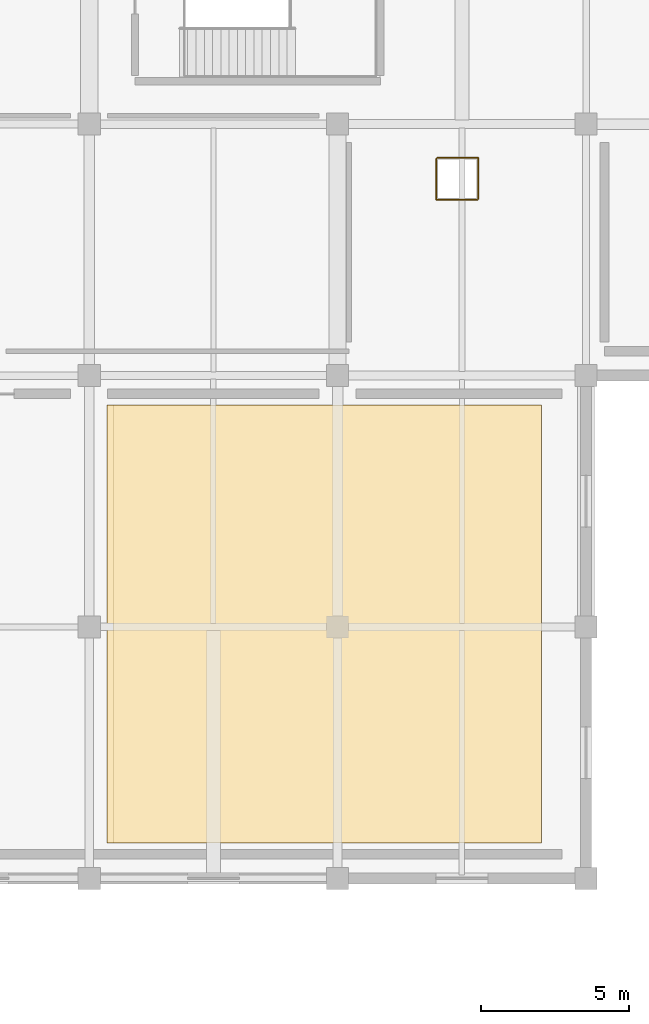
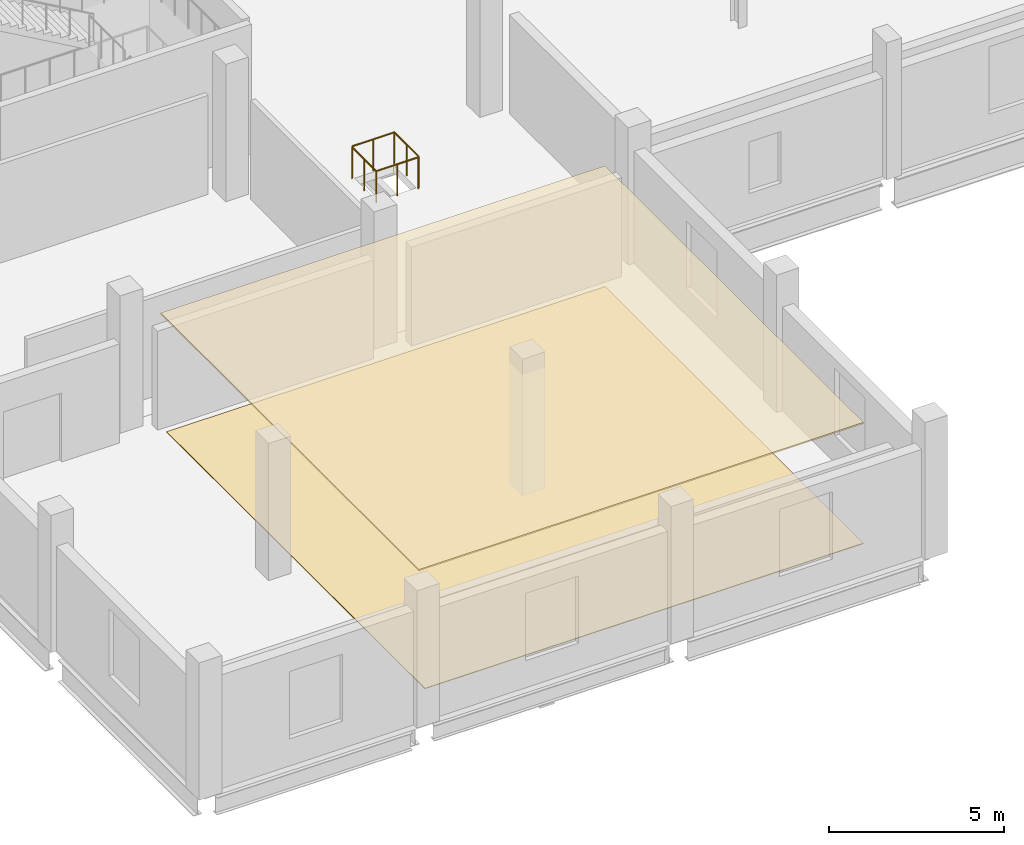
# One storey, part 72 of 77: 2 coverings, 2 railings.
"""IFC4 building model written with IfcOpenShell, lengths in metres."""

import ifcopenshell
import ifcopenshell.guid

model = None  # the IFC model being written
_history = None  # IfcOwnerHistory: only IFC2X3 demands one
_inside = {}  # id of a spatial element -> (the spatial element, [elements in it])
_under = {}  # id of a project, library or spatial element -> (it, [spatial elements below it])
_declared = {}  # id of a project -> (the project, [libraries it declares])
_typed = {}  # id of a type object -> (the type object, [elements of that type])
_made_of = {}  # id of a material, layer set ... -> (it, [elements and type objects made of it])


def new_model(schema):
    """Start an empty IFC model of exactly this schema.

    Asked for "IFC4X3", IfcOpenShell would pick the latest addendum, in which some entities
    have other attributes; the version numbers below select the first issue.
    IFC2X3 requires an IfcOwnerHistory on every rooted entity: one is made here for all.
    """
    global model, _history
    if schema == "IFC4X3":
        model = ifcopenshell.file(schema_version=(4, 3, 0, 0))
    else:
        model = ifcopenshell.file(schema=schema)
    _inside.clear()
    _under.clear()
    _declared.clear()
    _typed.clear()
    _made_of.clear()
    _history = None
    if model.schema == "IFC2X3":
        org = make("IfcOrganization", Name="unknown")
        user = make(
            "IfcPersonAndOrganization",
            ThePerson=make("IfcPerson", FamilyName="unknown"),
            TheOrganization=org,
        )
        app = make(
            "IfcApplication",
            ApplicationDeveloper=org,
            Version="unknown",
            ApplicationFullName="unknown",
            ApplicationIdentifier="unknown",
        )
        _history = make(
            "IfcOwnerHistory",
            OwningUser=user,
            OwningApplication=app,
            ChangeAction="ADDED",
            CreationDate=0,
        )
    return model


def make(cls, **values):
    """One entity of the class cls with the attributes given. An attribute that is None is left unset."""
    return model.create_entity(
        cls, **{name: value for name, value in values.items() if value is not None}
    )


def rooted(cls, **values):
    """An entity with a GlobalId (a new one), such as an element, a storey or a relation."""
    return make(cls, GlobalId=ifcopenshell.guid.new(), OwnerHistory=_history, **values)


def si_unit(unit_type, name, prefix=None):
    """IfcSIUnit, for example si_unit("LENGTHUNIT", "METRE", prefix="MILLI")."""
    return make("IfcSIUnit", UnitType=unit_type, Prefix=prefix, Name=name)


def assignment(units):
    """IfcUnitAssignment: the units of a project."""
    return None if units is None else make("IfcUnitAssignment", Units=units)


def point(xyz):
    """IfcCartesianPoint."""
    return None if xyz is None else make("IfcCartesianPoint", Coordinates=xyz)


def direction(xyz):
    """IfcDirection."""
    return None if xyz is None else make("IfcDirection", DirectionRatios=xyz)


def frame(location, z_axis=None, x_axis=None):
    """IfcAxis2Placement3D, a coordinate frame: its origin and axes. An axis left out is left unset."""
    return make(
        "IfcAxis2Placement3D",
        Location=point(location),
        Axis=direction(z_axis),
        RefDirection=direction(x_axis),
    )


def frame_2d(location, x_axis=None):
    """IfcAxis2Placement2D, a coordinate frame in the plane: its origin and x axis."""
    return make(
        "IfcAxis2Placement2D", Location=point(location), RefDirection=direction(x_axis)
    )


def origin():
    """The frame at (0, 0, 0) with its axes left unset."""
    return frame((0.0, 0.0, 0.0))


def origin_2d():
    """The frame at (0, 0) in the plane with its x axis left unset."""
    return frame_2d((0.0, 0.0))


def place(relative_to, where):
    """IfcLocalPlacement: puts the frame where relative to a parent placement (None: the world)."""
    return make(
        "IfcLocalPlacement", PlacementRelTo=relative_to, RelativePlacement=where
    )


def context(
    kind, dimensions, precision=None, world=None, true_north=None, identifier=None
):
    """IfcGeometricRepresentationContext, for example the 3D "Model" context."""
    return make(
        "IfcGeometricRepresentationContext",
        ContextIdentifier=identifier,
        ContextType=kind,
        CoordinateSpaceDimension=dimensions,
        Precision=precision,
        WorldCoordinateSystem=world,
        TrueNorth=true_north,
    )


def subcontext(parent, identifier, kind, view, scale=None):
    """IfcGeometricRepresentationSubContext, for example "Body" below "Model"."""
    return make(
        "IfcGeometricRepresentationSubContext",
        ContextIdentifier=identifier,
        ContextType=kind,
        ParentContext=parent,
        TargetScale=scale,
        TargetView=view,
    )


def project(units=None, contexts=None):
    """IfcProject with its units and contexts."""
    return rooted(
        "IfcProject",
        Name="project",
        RepresentationContexts=contexts,
        UnitsInContext=assignment(units),
    )


def spatial(cls, under=None, at=None, **own):
    """A site, building, storey or space (cls), placed at a placement, below another one or the project."""
    s = rooted(cls, ObjectPlacement=at, **own)
    if under is not None:
        _under.setdefault(under.id(), (under, []))[1].append(s)
    return s


def polyline(points):
    """IfcPolyline through the points."""
    return make("IfcPolyline", Points=[point(p) for p in points])


def profile(cls, at=None, kind="AREA", **sizes):
    """A parametric profile (cls). Its sizes go by their IFC names, for example OverallWidth=200.0."""
    return make(cls, ProfileType=kind, Position=at, **sizes)


def circle(**sizes):
    """IfcCircleProfileDef."""
    return profile("IfcCircleProfileDef", **sizes)


def outline(outer, holes=None, kind="AREA"):
    """IfcArbitraryClosedProfileDef: a profile drawn as a closed curve; with holes, ...WithVoids."""
    if holes is None:
        return make("IfcArbitraryClosedProfileDef", ProfileType=kind, OuterCurve=outer)
    return make(
        "IfcArbitraryProfileDefWithVoids",
        ProfileType=kind,
        OuterCurve=outer,
        InnerCurves=holes,
    )


def extrude(swept, where, along, depth):
    """IfcExtrudedAreaSolid: the profile swept, set in the frame where, extruded along a direction by depth."""
    return make(
        "IfcExtrudedAreaSolid",
        SweptArea=swept,
        Position=where,
        ExtrudedDirection=direction(along),
        Depth=depth,
    )


def shape(context_of_items, identifier, shape_type, items):
    """IfcShapeRepresentation: the items that make up one representation, for example the "Body"."""
    return make(
        "IfcShapeRepresentation",
        ContextOfItems=context_of_items,
        RepresentationIdentifier=identifier,
        RepresentationType=shape_type,
        Items=items,
    )


def material(Name=None, Category=None):
    """IfcMaterial."""
    return make("IfcMaterial", Name=Name, Category=Category)


def layer(
    of_material, thickness, ventilated=None, Name=None, Category=None, Priority=None
):
    """IfcMaterialLayer: one layer of a wall or slab, of a material (None: an air gap)."""
    return make(
        "IfcMaterialLayer",
        Material=of_material,
        LayerThickness=thickness,
        IsVentilated=ventilated,
        Name=Name,
        Category=Category,
        Priority=Priority,
    )


def layer_set(layers, Name=None):
    """IfcMaterialLayerSet."""
    return make("IfcMaterialLayerSet", MaterialLayers=layers, LayerSetName=Name)


def made_of(thing, what):
    """Note that an element or type object is made of a material, layer set ...; save() writes the relation."""
    if what is not None:
        _made_of.setdefault(what.id(), (what, []))[1].append(thing)
    return thing


def type_object(cls, material=None, **own):
    """A type object (cls), such as IfcWallType, which elements share."""
    return made_of(rooted(cls, **own), material)


def element(
    cls,
    number,
    at=None,
    inside=None,
    cuts=None,
    type_object=None,
    material=None,
    context=None,
    identifier="Body",
    shape_type=None,
    held_by="IfcProductDefinitionShape",
    body=None,
    shapes=None,
    **own,
):
    """One element of the class cls, such as IfcWall. Its Tag is "e" and its number.

    at: its placement. inside: the storey or other place that contains it. cuts: it is an
    opening in that element (IfcRelVoidsElement). A single representation is given by context,
    identifier, shape_type and body (its items); several are given by shapes. held_by: the class
    of the entity that holds the representations. save() writes the other relations.
    """
    e = rooted(cls, Tag="e%d" % number, ObjectPlacement=at, **own)
    if body is not None:
        shapes = [shape(context, identifier, shape_type, body)]
    if shapes is not None:
        e.Representation = make(held_by, Representations=shapes)
    if inside is not None:
        _inside.setdefault(inside.id(), (inside, []))[1].append(e)
    if cuts is not None:
        rooted(
            "IfcRelVoidsElement", RelatingBuildingElement=cuts, RelatedOpeningElement=e
        )
    if type_object is not None:
        _typed.setdefault(type_object.id(), (type_object, []))[1].append(e)
    return made_of(e, material)


def aggregate(whole, parts):
    """IfcRelAggregates: a whole, such as a stair, and the parts it consists of."""
    return rooted("IfcRelAggregates", RelatingObject=whole, RelatedObjects=parts)


def save(model, path):
    """Write the relations noted so far, then the file.

    IfcRelAggregates (storeys below a building ...), IfcRelContainedInSpatialStructure (elements
    in a storey), IfcRelDefinesByType, IfcRelAssociatesMaterial and IfcRelDeclares: one each for
    every whole, place, type object, material and project.
    """
    for whole, parts in _under.values():
        aggregate(whole, parts)
    for where, things in _inside.values():
        rooted(
            "IfcRelContainedInSpatialStructure",
            RelatedElements=things,
            RelatingStructure=where,
        )
    for kind, things in _typed.values():
        rooted("IfcRelDefinesByType", RelatedObjects=things, RelatingType=kind)
    for what, things in _made_of.values():
        rooted("IfcRelAssociatesMaterial", RelatedObjects=things, RelatingMaterial=what)
    for by, libraries in _declared.values():
        rooted("IfcRelDeclares", RelatingContext=by, RelatedDefinitions=libraries)
    model.write(path)


model = new_model("IFC4")

# Units and contexts
model_context = context("Model", 3, precision=1e-05, world=origin(), true_north=direction((0.0, 1.0)))
body_context = subcontext(model_context, "Body", "Model", "MODEL_VIEW")
ifc_project = project(units=[si_unit("LENGTHUNIT", "METRE"), si_unit("AREAUNIT", "SQUARE_METRE"), si_unit("VOLUMEUNIT", "CUBIC_METRE"), si_unit("PLANEANGLEUNIT", "RADIAN"), si_unit("MASSUNIT", "GRAM", prefix="KILO")], contexts=[model_context])

# Site, building, storey
site_placement = place(None, origin())
site = spatial("IfcSite", under=ifc_project, at=site_placement, CompositionType="ELEMENT")
building_placement = place(site_placement, origin())
building = spatial("IfcBuilding", under=site, at=building_placement, Name="Solvento Point Concert Hall", CompositionType="ELEMENT")
storey_placement = place(building_placement, frame((0.0, 0.0, 10.199951171875)))
storey = spatial("IfcBuildingStorey", under=building, at=storey_placement, Name="L02", CompositionType="ELEMENT", Elevation=10.199951171875)

# Covering
ifc_material_1 = material(Name="Suspended Timber-Slat Acoustic Ceiling", Category="wood")
ifc_layer_1 = layer(ifc_material_1, 0.050048828125)
ifc_layer_set_1 = layer_set([ifc_layer_1], Name="Suspended Timber-Slat Acoustic Ceiling")
covering_type_1 = type_object("IfcCoveringType", Name="AcousticCeiling_Timber", PredefinedType="CEILING", material=ifc_layer_set_1)
covering_1_placement = place(storey_placement, frame((0.0, 0.0, 4.199951171875)))
element("IfcCovering", 1, at=covering_1_placement, inside=storey, type_object=covering_type_1, Name="Acoustic timber reflector ceiling CLG-V4-REH", PredefinedType="CEILING", context=body_context, shape_type="SweptSolid", body=[
    extrude(outline(polyline([(7.800048828125, 103.199951171875), (22.5, 103.199951171875), (22.5, 118.0), (7.800048828125, 118.0), (7.800048828125, 103.199951171875)])), origin(), (0.0, 0.0, 1.0), 0.050048828125),
])

# Railings
ifc_material_2 = material(Name="Brushed Stainless Steel Balustrade", Category="steel")
railing_type = type_object("IfcRailingType", Name="TerraceBalustrade_1100", PredefinedType="BALUSTRADE", material=ifc_material_2)
railing_1_placement = place(storey_placement, frame((20.360107421875, 124.969970703125, 0.0)))
element("IfcRailing", 2, at=railing_1_placement, inside=storey, type_object=railing_type, Name="Guard balustrade GR-01 L02", PredefinedType="BALUSTRADE", context=body_context, shape_type="SweptSolid", body=[
    extrude(circle(Radius=0.02392578125, at=origin_2d()), frame((0.0, 0.0, 1.09619140625), z_axis=(0.0, 1.0, 0.0), x_axis=(-1.0, 0.0, 0.0)), (0.0, 0.0, 1.0), 1.39013671875),
    extrude(circle(Radius=0.02392578125, at=origin_2d()), frame((0.0, 1.39013671875, 1.09619140625), z_axis=(-1.0, 0.0, 0.0), x_axis=(0.0, -1.0, 0.0)), (0.0, 0.0, 1.0), 1.39013671875),
    extrude(circle(Radius=0.02099609375, at=origin_2d()), origin(), (0.0, 0.0, 1.0), 1.072021484375),
    extrude(circle(Radius=0.02099609375, at=origin_2d()), frame((0.0, 0.695068359375, 0.0)), (0.0, 0.0, 1.0), 1.072021484375),
    extrude(circle(Radius=0.02099609375, at=origin_2d()), frame((0.0, 1.39013671875, 0.0)), (0.0, 0.0, 1.0), 1.072021484375),
    extrude(circle(Radius=0.02099609375, at=origin_2d()), frame((-0.695068359375, 1.39013671875, 0.0)), (0.0, 0.0, 1.0), 1.072021484375),
    extrude(circle(Radius=0.02099609375, at=origin_2d()), frame((-1.39013671875, 1.39013671875, 0.0)), (0.0, 0.0, 1.0), 1.072021484375),
])
railing_2_placement = place(storey_placement, frame((18.93994140625, 126.330078125, 0.0)))
element("IfcRailing", 3, at=railing_2_placement, inside=storey, type_object=railing_type, Name="Guard balustrade GR-01 L02", PredefinedType="BALUSTRADE", context=body_context, shape_type="SweptSolid", body=[
    extrude(circle(Radius=0.02392578125, at=origin_2d()), frame((0.0, 0.0, 1.09619140625), z_axis=(0.0, -1.0, 0.0), x_axis=(1.0, 0.0, 0.0)), (0.0, 0.0, 1.0), 1.39013671875),
    extrude(circle(Radius=0.02392578125, at=origin_2d()), frame((0.0, -1.39013671875, 1.09619140625), z_axis=(1.0, 0.0, 0.0), x_axis=(0.0, 1.0, 0.0)), (0.0, 0.0, 1.0), 1.39013671875),
    extrude(circle(Radius=0.02099609375, at=origin_2d()), origin(), (0.0, 0.0, 1.0), 1.072021484375),
    extrude(circle(Radius=0.02099609375, at=origin_2d()), frame((0.0, -0.695068359375, 0.0)), (0.0, 0.0, 1.0), 1.072021484375),
    extrude(circle(Radius=0.02099609375, at=origin_2d()), frame((0.0, -1.39013671875, 0.0)), (0.0, 0.0, 1.0), 1.072021484375),
    extrude(circle(Radius=0.02099609375, at=origin_2d()), frame((0.695068359375, -1.39013671875, 0.0)), (0.0, 0.0, 1.0), 1.072021484375),
    extrude(circle(Radius=0.02099609375, at=origin_2d()), frame((1.39013671875, -1.39013671875, 0.0)), (0.0, 0.0, 1.0), 1.072021484375),
])

# Covering
ifc_material_3 = material(Name="Coral-Sand Terrazzo Flooring")
ifc_layer_2 = layer(ifc_material_3, 0.02490234375)
ifc_layer_set_2 = layer_set([ifc_layer_2], Name="Coral-Sand Terrazzo Flooring")
covering_type_2 = type_object("IfcCoveringType", Name="TerrazzoFlooring_25", PredefinedType="FLOORING", material=ifc_layer_set_2)
covering_2_placement = place(storey_placement, origin())
element("IfcCovering", 4, at=covering_2_placement, inside=storey, type_object=covering_type_2, Name="Coral-sand terrazzo floor finish FLR-L02-REH", PredefinedType="FLOORING", context=body_context, shape_type="SweptSolid", body=[
    extrude(outline(polyline([(8.0, 103.199951171875), (22.5, 103.199951171875), (22.5, 118.0), (8.0, 118.0), (8.0, 103.199951171875)])), origin(), (0.0, 0.0, 1.0), 0.025146484375),
])

save(model, "model.ifc")
